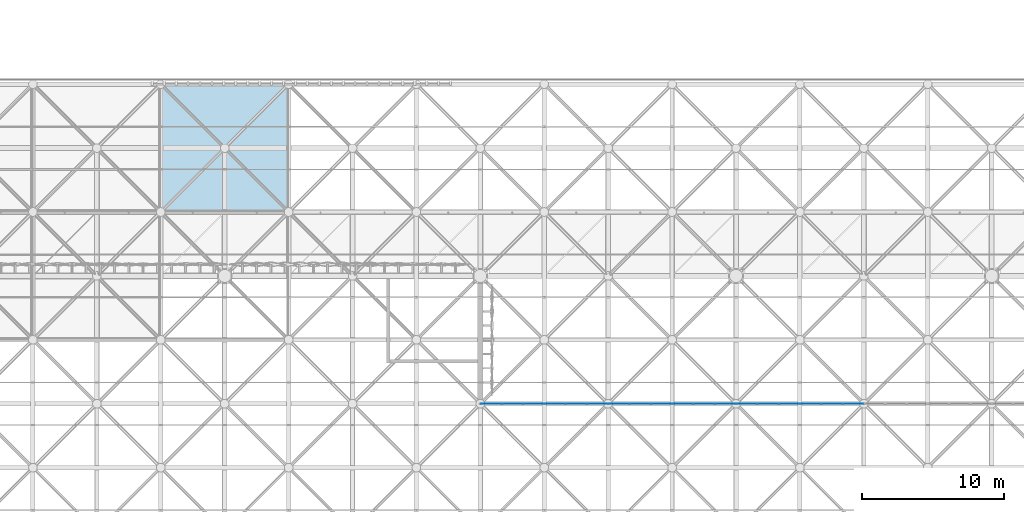
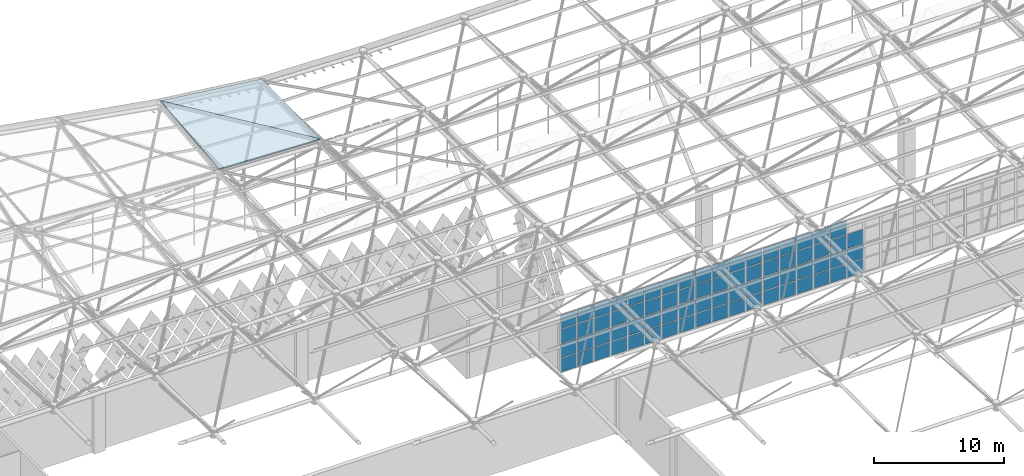
# One storey, part 246 of 437: 71 plates, 2 slabs, 2 elements without a shape of their own.
"""IFC4 building model written with IfcOpenShell, lengths in metres."""

from ifc_helpers import new_model, si_unit, direction, frame, origin, origin_2d, place, context, subcontext, project, spatial, polyline, rectangle, outline, extrude, material, layer, layer_set, type_object, element, aggregate, save


model = new_model("IFC4")

# Units and contexts
model_context = context("Model", 3, precision=1e-05, world=origin(), true_north=direction((0.0, 1.0)))
body_context = subcontext(model_context, "Body", "Model", "MODEL_VIEW")
ifc_project = project(units=[si_unit("LENGTHUNIT", "METRE"), si_unit("AREAUNIT", "SQUARE_METRE"), si_unit("VOLUMEUNIT", "CUBIC_METRE"), si_unit("PLANEANGLEUNIT", "RADIAN"), si_unit("MASSUNIT", "GRAM", prefix="KILO")], contexts=[model_context])

# Site, building, storey
site_placement = place(None, origin())
site = spatial("IfcSite", under=ifc_project, at=site_placement, CompositionType="ELEMENT")
building_placement = place(site_placement, origin())
building = spatial("IfcBuilding", under=site, at=building_placement, Name="Opaline Strait Convention Centre", CompositionType="ELEMENT")
storey_placement = place(building_placement, frame((0.0, 0.0, 11.5)))
storey = spatial("IfcBuildingStorey", under=building, at=storey_placement, Name="L02", CompositionType="ELEMENT", Elevation=11.5)

# Curtain wall, plates
ifc_material_1 = material(Name="Aluminium framed glazing", Category="aluminium")
ifc_layer_1 = layer(ifc_material_1, 0.199951171875)
ifc_layer_set_1 = layer_set([ifc_layer_1], Name="Aluminium framed glazing")
curtain_wall_type = type_object("IfcCurtainWallType", Name="Entrance curtain wall 1500", PredefinedType="NOTDEFINED", material=ifc_layer_set_1)
curtain_wall_1_placement = place(storey_placement, origin())
curtain_wall_1 = element("IfcCurtainWall", 1, at=curtain_wall_1_placement, inside=storey, type_object=curtain_wall_type, Name="Entrance curtain wall L02-R1", PredefinedType="NOTDEFINED")
ifc_material_2 = material(Name="Double glazed unit low emissivity", Category="glass")
ifc_layer_2 = layer(ifc_material_2, 0.028076171875)
ifc_layer_set_2 = layer_set([ifc_layer_2], Name="Double glazed unit low emissivity")
plate_type = type_object("IfcPlateType", Name="Curtain wall glass panel 28", PredefinedType="CURTAIN_PANEL", material=ifc_layer_set_2)
plate_1_placement = place(storey_placement, frame((153.764892578125, 144.0, 0.06005859375), z_axis=(0.0, 0.0, 1.0), x_axis=(1.0, 0.0, 0.0)))
plate_1 = element("IfcPlate", 2, at=plate_1_placement, type_object=plate_type, Name="XCW panel 1.1", PredefinedType="CURTAIN_PANEL", context=body_context, shape_type="SweptSolid", body=[
    extrude(rectangle(XDim=1.409912109375, YDim=0.028076171875, at=origin_2d()), origin(), (0.0, 0.0, 1.0), 1.284912109375),
])
plate_2_placement = place(storey_placement, frame((153.764892578125, 144.0, 1.405029296875), z_axis=(0.0, 0.0, 1.0), x_axis=(1.0, 0.0, 0.0)))
plate_2 = element("IfcPlate", 3, at=plate_2_placement, type_object=plate_type, Name="XCW panel 1.2", PredefinedType="CURTAIN_PANEL", context=body_context, shape_type="SweptSolid", body=[
    extrude(rectangle(XDim=1.409912109375, YDim=0.028076171875, at=origin_2d()), origin(), (0.0, 0.0, 1.0), 1.31494140625),
])
plate_3_placement = place(storey_placement, frame((153.764892578125, 144.0, 2.780029296875), z_axis=(0.0, 0.0, 1.0), x_axis=(1.0, 0.0, 0.0)))
plate_3 = element("IfcPlate", 4, at=plate_3_placement, type_object=plate_type, Name="XCW panel 1.3", PredefinedType="CURTAIN_PANEL", context=body_context, shape_type="SweptSolid", body=[
    extrude(rectangle(XDim=1.409912109375, YDim=0.028076171875, at=origin_2d()), origin(), (0.0, 0.0, 1.0), 1.31494140625),
])
plate_4_placement = place(storey_placement, frame((153.764892578125, 144.0, 4.1552734375), z_axis=(0.0, 0.0, 1.0), x_axis=(1.0, 0.0, 0.0)))
plate_4 = element("IfcPlate", 5, at=plate_4_placement, type_object=plate_type, Name="XCW panel 1.4", PredefinedType="CURTAIN_PANEL", context=body_context, shape_type="SweptSolid", body=[
    extrude(rectangle(XDim=1.409912109375, YDim=0.028076171875, at=origin_2d()), origin(), (0.0, 0.0, 1.0), 1.284912109375),
])
plate_5_placement = place(storey_placement, frame((155.25, 144.0, 0.06005859375), z_axis=(0.0, 0.0, 1.0), x_axis=(1.0, 0.0, 0.0)))
plate_5 = element("IfcPlate", 6, at=plate_5_placement, type_object=plate_type, Name="XCW panel 2.1", PredefinedType="CURTAIN_PANEL", context=body_context, shape_type="SweptSolid", body=[
    extrude(rectangle(XDim=1.43994140625, YDim=0.028076171875, at=origin_2d()), origin(), (0.0, 0.0, 1.0), 1.284912109375),
])
plate_6_placement = place(storey_placement, frame((155.25, 144.0, 1.405029296875), z_axis=(0.0, 0.0, 1.0), x_axis=(1.0, 0.0, 0.0)))
plate_6 = element("IfcPlate", 7, at=plate_6_placement, type_object=plate_type, Name="XCW panel 2.2", PredefinedType="CURTAIN_PANEL", context=body_context, shape_type="SweptSolid", body=[
    extrude(rectangle(XDim=1.43994140625, YDim=0.028076171875, at=origin_2d()), origin(), (0.0, 0.0, 1.0), 1.31494140625),
])
plate_7_placement = place(storey_placement, frame((155.25, 144.0, 2.780029296875), z_axis=(0.0, 0.0, 1.0), x_axis=(1.0, 0.0, 0.0)))
plate_7 = element("IfcPlate", 8, at=plate_7_placement, type_object=plate_type, Name="XCW panel 2.3", PredefinedType="CURTAIN_PANEL", context=body_context, shape_type="SweptSolid", body=[
    extrude(rectangle(XDim=1.43994140625, YDim=0.028076171875, at=origin_2d()), origin(), (0.0, 0.0, 1.0), 1.31494140625),
])
plate_8_placement = place(storey_placement, frame((155.25, 144.0, 4.1552734375), z_axis=(0.0, 0.0, 1.0), x_axis=(1.0, 0.0, 0.0)))
plate_8 = element("IfcPlate", 9, at=plate_8_placement, type_object=plate_type, Name="XCW panel 2.4", PredefinedType="CURTAIN_PANEL", context=body_context, shape_type="SweptSolid", body=[
    extrude(rectangle(XDim=1.43994140625, YDim=0.028076171875, at=origin_2d()), origin(), (0.0, 0.0, 1.0), 1.284912109375),
])
plate_9_placement = place(storey_placement, frame((156.75, 144.0, 0.06005859375), z_axis=(0.0, 0.0, 1.0), x_axis=(1.0, 0.0, 0.0)))
plate_9 = element("IfcPlate", 10, at=plate_9_placement, type_object=plate_type, Name="XCW panel 3.1", PredefinedType="CURTAIN_PANEL", context=body_context, shape_type="SweptSolid", body=[
    extrude(rectangle(XDim=1.43994140625, YDim=0.028076171875, at=origin_2d()), origin(), (0.0, 0.0, 1.0), 1.284912109375),
])
plate_10_placement = place(storey_placement, frame((156.75, 144.0, 1.405029296875), z_axis=(0.0, 0.0, 1.0), x_axis=(1.0, 0.0, 0.0)))
plate_10 = element("IfcPlate", 11, at=plate_10_placement, type_object=plate_type, Name="XCW panel 3.2", PredefinedType="CURTAIN_PANEL", context=body_context, shape_type="SweptSolid", body=[
    extrude(rectangle(XDim=1.43994140625, YDim=0.028076171875, at=origin_2d()), origin(), (0.0, 0.0, 1.0), 1.31494140625),
])
plate_11_placement = place(storey_placement, frame((156.75, 144.0, 2.780029296875), z_axis=(0.0, 0.0, 1.0), x_axis=(1.0, 0.0, 0.0)))
plate_11 = element("IfcPlate", 12, at=plate_11_placement, type_object=plate_type, Name="XCW panel 3.3", PredefinedType="CURTAIN_PANEL", context=body_context, shape_type="SweptSolid", body=[
    extrude(rectangle(XDim=1.43994140625, YDim=0.028076171875, at=origin_2d()), origin(), (0.0, 0.0, 1.0), 1.31494140625),
])
plate_12_placement = place(storey_placement, frame((156.75, 144.0, 4.1552734375), z_axis=(0.0, 0.0, 1.0), x_axis=(1.0, 0.0, 0.0)))
plate_12 = element("IfcPlate", 13, at=plate_12_placement, type_object=plate_type, Name="XCW panel 3.4", PredefinedType="CURTAIN_PANEL", context=body_context, shape_type="SweptSolid", body=[
    extrude(rectangle(XDim=1.43994140625, YDim=0.028076171875, at=origin_2d()), origin(), (0.0, 0.0, 1.0), 1.284912109375),
])
plate_13_placement = place(storey_placement, frame((158.25, 144.0, 0.06005859375), z_axis=(0.0, 0.0, 1.0), x_axis=(1.0, 0.0, 0.0)))
plate_13 = element("IfcPlate", 14, at=plate_13_placement, type_object=plate_type, Name="XCW panel 4.1", PredefinedType="CURTAIN_PANEL", context=body_context, shape_type="SweptSolid", body=[
    extrude(rectangle(XDim=1.43994140625, YDim=0.028076171875, at=origin_2d()), origin(), (0.0, 0.0, 1.0), 1.284912109375),
])
plate_14_placement = place(storey_placement, frame((158.25, 144.0, 1.405029296875), z_axis=(0.0, 0.0, 1.0), x_axis=(1.0, 0.0, 0.0)))
plate_14 = element("IfcPlate", 15, at=plate_14_placement, type_object=plate_type, Name="XCW panel 4.2", PredefinedType="CURTAIN_PANEL", context=body_context, shape_type="SweptSolid", body=[
    extrude(rectangle(XDim=1.43994140625, YDim=0.028076171875, at=origin_2d()), origin(), (0.0, 0.0, 1.0), 1.31494140625),
])
plate_15_placement = place(storey_placement, frame((158.25, 144.0, 2.780029296875), z_axis=(0.0, 0.0, 1.0), x_axis=(1.0, 0.0, 0.0)))
plate_15 = element("IfcPlate", 16, at=plate_15_placement, type_object=plate_type, Name="XCW panel 4.3", PredefinedType="CURTAIN_PANEL", context=body_context, shape_type="SweptSolid", body=[
    extrude(rectangle(XDim=1.43994140625, YDim=0.028076171875, at=origin_2d()), origin(), (0.0, 0.0, 1.0), 1.31494140625),
])
plate_16_placement = place(storey_placement, frame((158.25, 144.0, 4.1552734375), z_axis=(0.0, 0.0, 1.0), x_axis=(1.0, 0.0, 0.0)))
plate_16 = element("IfcPlate", 17, at=plate_16_placement, type_object=plate_type, Name="XCW panel 4.4", PredefinedType="CURTAIN_PANEL", context=body_context, shape_type="SweptSolid", body=[
    extrude(rectangle(XDim=1.43994140625, YDim=0.028076171875, at=origin_2d()), origin(), (0.0, 0.0, 1.0), 1.284912109375),
])
plate_17_placement = place(storey_placement, frame((159.75, 144.0, 0.06005859375), z_axis=(0.0, 0.0, 1.0), x_axis=(1.0, 0.0, 0.0)))
plate_17 = element("IfcPlate", 18, at=plate_17_placement, type_object=plate_type, Name="XCW panel 5.1", PredefinedType="CURTAIN_PANEL", context=body_context, shape_type="SweptSolid", body=[
    extrude(rectangle(XDim=1.43994140625, YDim=0.028076171875, at=origin_2d()), origin(), (0.0, 0.0, 1.0), 1.284912109375),
])
plate_18_placement = place(storey_placement, frame((159.75, 144.0, 1.405029296875), z_axis=(0.0, 0.0, 1.0), x_axis=(1.0, 0.0, 0.0)))
plate_18 = element("IfcPlate", 19, at=plate_18_placement, type_object=plate_type, Name="XCW panel 5.2", PredefinedType="CURTAIN_PANEL", context=body_context, shape_type="SweptSolid", body=[
    extrude(rectangle(XDim=1.43994140625, YDim=0.028076171875, at=origin_2d()), origin(), (0.0, 0.0, 1.0), 1.31494140625),
])
plate_19_placement = place(storey_placement, frame((159.75, 144.0, 2.780029296875), z_axis=(0.0, 0.0, 1.0), x_axis=(1.0, 0.0, 0.0)))
plate_19 = element("IfcPlate", 20, at=plate_19_placement, type_object=plate_type, Name="XCW panel 5.3", PredefinedType="CURTAIN_PANEL", context=body_context, shape_type="SweptSolid", body=[
    extrude(rectangle(XDim=1.43994140625, YDim=0.028076171875, at=origin_2d()), origin(), (0.0, 0.0, 1.0), 1.31494140625),
])
plate_20_placement = place(storey_placement, frame((159.75, 144.0, 4.1552734375), z_axis=(0.0, 0.0, 1.0), x_axis=(1.0, 0.0, 0.0)))
plate_20 = element("IfcPlate", 21, at=plate_20_placement, type_object=plate_type, Name="XCW panel 5.4", PredefinedType="CURTAIN_PANEL", context=body_context, shape_type="SweptSolid", body=[
    extrude(rectangle(XDim=1.43994140625, YDim=0.028076171875, at=origin_2d()), origin(), (0.0, 0.0, 1.0), 1.284912109375),
])
plate_21_placement = place(storey_placement, frame((161.25, 144.0, 0.06005859375), z_axis=(0.0, 0.0, 1.0), x_axis=(1.0, 0.0, 0.0)))
plate_21 = element("IfcPlate", 22, at=plate_21_placement, type_object=plate_type, Name="XCW panel 6.1", PredefinedType="CURTAIN_PANEL", context=body_context, shape_type="SweptSolid", body=[
    extrude(rectangle(XDim=1.43994140625, YDim=0.028076171875, at=origin_2d()), origin(), (0.0, 0.0, 1.0), 1.284912109375),
])
plate_22_placement = place(storey_placement, frame((161.25, 144.0, 1.405029296875), z_axis=(0.0, 0.0, 1.0), x_axis=(1.0, 0.0, 0.0)))
plate_22 = element("IfcPlate", 23, at=plate_22_placement, type_object=plate_type, Name="XCW panel 6.2", PredefinedType="CURTAIN_PANEL", context=body_context, shape_type="SweptSolid", body=[
    extrude(rectangle(XDim=1.43994140625, YDim=0.028076171875, at=origin_2d()), origin(), (0.0, 0.0, 1.0), 1.31494140625),
])
plate_23_placement = place(storey_placement, frame((161.25, 144.0, 2.780029296875), z_axis=(0.0, 0.0, 1.0), x_axis=(1.0, 0.0, 0.0)))
plate_23 = element("IfcPlate", 24, at=plate_23_placement, type_object=plate_type, Name="XCW panel 6.3", PredefinedType="CURTAIN_PANEL", context=body_context, shape_type="SweptSolid", body=[
    extrude(rectangle(XDim=1.43994140625, YDim=0.028076171875, at=origin_2d()), origin(), (0.0, 0.0, 1.0), 1.31494140625),
])
plate_24_placement = place(storey_placement, frame((161.25, 144.0, 4.1552734375), z_axis=(0.0, 0.0, 1.0), x_axis=(1.0, 0.0, 0.0)))
plate_24 = element("IfcPlate", 25, at=plate_24_placement, type_object=plate_type, Name="XCW panel 6.4", PredefinedType="CURTAIN_PANEL", context=body_context, shape_type="SweptSolid", body=[
    extrude(rectangle(XDim=1.43994140625, YDim=0.028076171875, at=origin_2d()), origin(), (0.0, 0.0, 1.0), 1.284912109375),
])
plate_25_placement = place(storey_placement, frame((162.75, 144.0, 0.06005859375), z_axis=(0.0, 0.0, 1.0), x_axis=(1.0, 0.0, 0.0)))
plate_25 = element("IfcPlate", 26, at=plate_25_placement, type_object=plate_type, Name="XCW panel 7.1", PredefinedType="CURTAIN_PANEL", context=body_context, shape_type="SweptSolid", body=[
    extrude(rectangle(XDim=1.43994140625, YDim=0.028076171875, at=origin_2d()), origin(), (0.0, 0.0, 1.0), 1.284912109375),
])
plate_26_placement = place(storey_placement, frame((162.75, 144.0, 1.405029296875), z_axis=(0.0, 0.0, 1.0), x_axis=(1.0, 0.0, 0.0)))
plate_26 = element("IfcPlate", 27, at=plate_26_placement, type_object=plate_type, Name="XCW panel 7.2", PredefinedType="CURTAIN_PANEL", context=body_context, shape_type="SweptSolid", body=[
    extrude(rectangle(XDim=1.43994140625, YDim=0.028076171875, at=origin_2d()), origin(), (0.0, 0.0, 1.0), 1.31494140625),
])
plate_27_placement = place(storey_placement, frame((162.75, 144.0, 2.780029296875), z_axis=(0.0, 0.0, 1.0), x_axis=(1.0, 0.0, 0.0)))
plate_27 = element("IfcPlate", 28, at=plate_27_placement, type_object=plate_type, Name="XCW panel 7.3", PredefinedType="CURTAIN_PANEL", context=body_context, shape_type="SweptSolid", body=[
    extrude(rectangle(XDim=1.43994140625, YDim=0.028076171875, at=origin_2d()), origin(), (0.0, 0.0, 1.0), 1.31494140625),
])
plate_28_placement = place(storey_placement, frame((162.75, 144.0, 4.1552734375), z_axis=(0.0, 0.0, 1.0), x_axis=(1.0, 0.0, 0.0)))
plate_28 = element("IfcPlate", 29, at=plate_28_placement, type_object=plate_type, Name="XCW panel 7.4", PredefinedType="CURTAIN_PANEL", context=body_context, shape_type="SweptSolid", body=[
    extrude(rectangle(XDim=1.43994140625, YDim=0.028076171875, at=origin_2d()), origin(), (0.0, 0.0, 1.0), 1.284912109375),
])
plate_29_placement = place(storey_placement, frame((164.25, 144.0, 0.06005859375), z_axis=(0.0, 0.0, 1.0), x_axis=(1.0, 0.0, 0.0)))
plate_29 = element("IfcPlate", 30, at=plate_29_placement, type_object=plate_type, Name="XCW panel 8.1", PredefinedType="CURTAIN_PANEL", context=body_context, shape_type="SweptSolid", body=[
    extrude(rectangle(XDim=1.43994140625, YDim=0.028076171875, at=origin_2d()), origin(), (0.0, 0.0, 1.0), 1.284912109375),
])
plate_30_placement = place(storey_placement, frame((164.25, 144.0, 1.405029296875), z_axis=(0.0, 0.0, 1.0), x_axis=(1.0, 0.0, 0.0)))
plate_30 = element("IfcPlate", 31, at=plate_30_placement, type_object=plate_type, Name="XCW panel 8.2", PredefinedType="CURTAIN_PANEL", context=body_context, shape_type="SweptSolid", body=[
    extrude(rectangle(XDim=1.43994140625, YDim=0.028076171875, at=origin_2d()), origin(), (0.0, 0.0, 1.0), 1.31494140625),
])
plate_31_placement = place(storey_placement, frame((164.25, 144.0, 2.780029296875), z_axis=(0.0, 0.0, 1.0), x_axis=(1.0, 0.0, 0.0)))
plate_31 = element("IfcPlate", 32, at=plate_31_placement, type_object=plate_type, Name="XCW panel 8.3", PredefinedType="CURTAIN_PANEL", context=body_context, shape_type="SweptSolid", body=[
    extrude(rectangle(XDim=1.43994140625, YDim=0.028076171875, at=origin_2d()), origin(), (0.0, 0.0, 1.0), 1.31494140625),
])
plate_32_placement = place(storey_placement, frame((164.25, 144.0, 4.1552734375), z_axis=(0.0, 0.0, 1.0), x_axis=(1.0, 0.0, 0.0)))
plate_32 = element("IfcPlate", 33, at=plate_32_placement, type_object=plate_type, Name="XCW panel 8.4", PredefinedType="CURTAIN_PANEL", context=body_context, shape_type="SweptSolid", body=[
    extrude(rectangle(XDim=1.43994140625, YDim=0.028076171875, at=origin_2d()), origin(), (0.0, 0.0, 1.0), 1.284912109375),
])
plate_33_placement = place(storey_placement, frame((165.75, 144.0, 0.06005859375), z_axis=(0.0, 0.0, 1.0), x_axis=(1.0, 0.0, 0.0)))
plate_33 = element("IfcPlate", 34, at=plate_33_placement, type_object=plate_type, Name="XCW panel 9.1", PredefinedType="CURTAIN_PANEL", context=body_context, shape_type="SweptSolid", body=[
    extrude(rectangle(XDim=1.43994140625, YDim=0.028076171875, at=origin_2d()), origin(), (0.0, 0.0, 1.0), 1.284912109375),
])
plate_34_placement = place(storey_placement, frame((165.75, 144.0, 1.405029296875), z_axis=(0.0, 0.0, 1.0), x_axis=(1.0, 0.0, 0.0)))
plate_34 = element("IfcPlate", 35, at=plate_34_placement, type_object=plate_type, Name="XCW panel 9.2", PredefinedType="CURTAIN_PANEL", context=body_context, shape_type="SweptSolid", body=[
    extrude(rectangle(XDim=1.43994140625, YDim=0.028076171875, at=origin_2d()), origin(), (0.0, 0.0, 1.0), 1.31494140625),
])
plate_35_placement = place(storey_placement, frame((165.75, 144.0, 2.780029296875), z_axis=(0.0, 0.0, 1.0), x_axis=(1.0, 0.0, 0.0)))
plate_35 = element("IfcPlate", 36, at=plate_35_placement, type_object=plate_type, Name="XCW panel 9.3", PredefinedType="CURTAIN_PANEL", context=body_context, shape_type="SweptSolid", body=[
    extrude(rectangle(XDim=1.43994140625, YDim=0.028076171875, at=origin_2d()), origin(), (0.0, 0.0, 1.0), 1.31494140625),
])
plate_36_placement = place(storey_placement, frame((165.75, 144.0, 4.1552734375), z_axis=(0.0, 0.0, 1.0), x_axis=(1.0, 0.0, 0.0)))
plate_36 = element("IfcPlate", 37, at=plate_36_placement, type_object=plate_type, Name="XCW panel 9.4", PredefinedType="CURTAIN_PANEL", context=body_context, shape_type="SweptSolid", body=[
    extrude(rectangle(XDim=1.43994140625, YDim=0.028076171875, at=origin_2d()), origin(), (0.0, 0.0, 1.0), 1.284912109375),
])
plate_37_placement = place(storey_placement, frame((167.25, 144.0, 0.06005859375), z_axis=(0.0, 0.0, 1.0), x_axis=(1.0, 0.0, 0.0)))
plate_37 = element("IfcPlate", 38, at=plate_37_placement, type_object=plate_type, Name="XCW panel 10.1", PredefinedType="CURTAIN_PANEL", context=body_context, shape_type="SweptSolid", body=[
    extrude(rectangle(XDim=1.43994140625, YDim=0.028076171875, at=origin_2d()), origin(), (0.0, 0.0, 1.0), 1.284912109375),
])
plate_38_placement = place(storey_placement, frame((167.25, 144.0, 1.405029296875), z_axis=(0.0, 0.0, 1.0), x_axis=(1.0, 0.0, 0.0)))
plate_38 = element("IfcPlate", 39, at=plate_38_placement, type_object=plate_type, Name="XCW panel 10.2", PredefinedType="CURTAIN_PANEL", context=body_context, shape_type="SweptSolid", body=[
    extrude(rectangle(XDim=1.43994140625, YDim=0.028076171875, at=origin_2d()), origin(), (0.0, 0.0, 1.0), 1.31494140625),
])
plate_39_placement = place(storey_placement, frame((167.25, 144.0, 2.780029296875), z_axis=(0.0, 0.0, 1.0), x_axis=(1.0, 0.0, 0.0)))
plate_39 = element("IfcPlate", 40, at=plate_39_placement, type_object=plate_type, Name="XCW panel 10.3", PredefinedType="CURTAIN_PANEL", context=body_context, shape_type="SweptSolid", body=[
    extrude(rectangle(XDim=1.43994140625, YDim=0.028076171875, at=origin_2d()), origin(), (0.0, 0.0, 1.0), 1.31494140625),
])
plate_40_placement = place(storey_placement, frame((167.25, 144.0, 4.1552734375), z_axis=(0.0, 0.0, 1.0), x_axis=(1.0, 0.0, 0.0)))
plate_40 = element("IfcPlate", 41, at=plate_40_placement, type_object=plate_type, Name="XCW panel 10.4", PredefinedType="CURTAIN_PANEL", context=body_context, shape_type="SweptSolid", body=[
    extrude(rectangle(XDim=1.43994140625, YDim=0.028076171875, at=origin_2d()), origin(), (0.0, 0.0, 1.0), 1.284912109375),
])
plate_41_placement = place(storey_placement, frame((168.75, 144.0, 0.06005859375), z_axis=(0.0, 0.0, 1.0), x_axis=(1.0, 0.0, 0.0)))
plate_41 = element("IfcPlate", 42, at=plate_41_placement, type_object=plate_type, Name="XCW panel 11.1", PredefinedType="CURTAIN_PANEL", context=body_context, shape_type="SweptSolid", body=[
    extrude(rectangle(XDim=1.43994140625, YDim=0.028076171875, at=origin_2d()), origin(), (0.0, 0.0, 1.0), 1.284912109375),
])
plate_42_placement = place(storey_placement, frame((168.75, 144.0, 1.405029296875), z_axis=(0.0, 0.0, 1.0), x_axis=(1.0, 0.0, 0.0)))
plate_42 = element("IfcPlate", 43, at=plate_42_placement, type_object=plate_type, Name="XCW panel 11.2", PredefinedType="CURTAIN_PANEL", context=body_context, shape_type="SweptSolid", body=[
    extrude(rectangle(XDim=1.43994140625, YDim=0.028076171875, at=origin_2d()), origin(), (0.0, 0.0, 1.0), 1.31494140625),
])
plate_43_placement = place(storey_placement, frame((168.75, 144.0, 2.780029296875), z_axis=(0.0, 0.0, 1.0), x_axis=(1.0, 0.0, 0.0)))
plate_43 = element("IfcPlate", 44, at=plate_43_placement, type_object=plate_type, Name="XCW panel 11.3", PredefinedType="CURTAIN_PANEL", context=body_context, shape_type="SweptSolid", body=[
    extrude(rectangle(XDim=1.43994140625, YDim=0.028076171875, at=origin_2d()), origin(), (0.0, 0.0, 1.0), 1.31494140625),
])
plate_44_placement = place(storey_placement, frame((168.75, 144.0, 4.1552734375), z_axis=(0.0, 0.0, 1.0), x_axis=(1.0, 0.0, 0.0)))
plate_44 = element("IfcPlate", 45, at=plate_44_placement, type_object=plate_type, Name="XCW panel 11.4", PredefinedType="CURTAIN_PANEL", context=body_context, shape_type="SweptSolid", body=[
    extrude(rectangle(XDim=1.43994140625, YDim=0.028076171875, at=origin_2d()), origin(), (0.0, 0.0, 1.0), 1.284912109375),
])
plate_45_placement = place(storey_placement, frame((170.235107421875, 144.0, 0.06005859375), z_axis=(0.0, 0.0, 1.0), x_axis=(1.0, 0.0, 0.0)))
plate_45 = element("IfcPlate", 46, at=plate_45_placement, type_object=plate_type, Name="XCW panel 12.1", PredefinedType="CURTAIN_PANEL", context=body_context, shape_type="SweptSolid", body=[
    extrude(rectangle(XDim=1.409912109375, YDim=0.028076171875, at=origin_2d()), origin(), (0.0, 0.0, 1.0), 1.284912109375),
])
plate_46_placement = place(storey_placement, frame((170.235107421875, 144.0, 1.405029296875), z_axis=(0.0, 0.0, 1.0), x_axis=(1.0, 0.0, 0.0)))
plate_46 = element("IfcPlate", 47, at=plate_46_placement, type_object=plate_type, Name="XCW panel 12.2", PredefinedType="CURTAIN_PANEL", context=body_context, shape_type="SweptSolid", body=[
    extrude(rectangle(XDim=1.409912109375, YDim=0.028076171875, at=origin_2d()), origin(), (0.0, 0.0, 1.0), 1.31494140625),
])
plate_47_placement = place(storey_placement, frame((170.235107421875, 144.0, 2.780029296875), z_axis=(0.0, 0.0, 1.0), x_axis=(1.0, 0.0, 0.0)))
plate_47 = element("IfcPlate", 48, at=plate_47_placement, type_object=plate_type, Name="XCW panel 12.3", PredefinedType="CURTAIN_PANEL", context=body_context, shape_type="SweptSolid", body=[
    extrude(rectangle(XDim=1.409912109375, YDim=0.028076171875, at=origin_2d()), origin(), (0.0, 0.0, 1.0), 1.31494140625),
])
plate_48_placement = place(storey_placement, frame((170.235107421875, 144.0, 4.1552734375), z_axis=(0.0, 0.0, 1.0), x_axis=(1.0, 0.0, 0.0)))
plate_48 = element("IfcPlate", 49, at=plate_48_placement, type_object=plate_type, Name="XCW panel 12.4", PredefinedType="CURTAIN_PANEL", context=body_context, shape_type="SweptSolid", body=[
    extrude(rectangle(XDim=1.409912109375, YDim=0.028076171875, at=origin_2d()), origin(), (0.0, 0.0, 1.0), 1.284912109375),
])
aggregate(curtain_wall_1, [plate_1, plate_2, plate_3, plate_4, plate_5, plate_6, plate_7, plate_8, plate_9, plate_10, plate_11, plate_12, plate_13, plate_14, plate_15, plate_16, plate_17, plate_18, plate_19, plate_20, plate_21, plate_22, plate_23, plate_24, plate_25, plate_26, plate_27, plate_28, plate_29, plate_30, plate_31, plate_32, plate_33, plate_34, plate_35, plate_36, plate_37, plate_38, plate_39, plate_40, plate_41, plate_42, plate_43, plate_44, plate_45, plate_46, plate_47, plate_48])

curtain_wall_2_placement = place(storey_placement, origin())
curtain_wall_2 = element("IfcCurtainWall", 50, at=curtain_wall_2_placement, inside=storey, type_object=curtain_wall_type, Name="Entrance curtain wall L02-R2", PredefinedType="NOTDEFINED")
plate_49_placement = place(storey_placement, frame((171.764892578125, 144.0, 0.06005859375), z_axis=(0.0, 0.0, 1.0), x_axis=(1.0, 0.0, 0.0)))
plate_49 = element("IfcPlate", 51, at=plate_49_placement, type_object=plate_type, Name="XCW panel 1.1", PredefinedType="CURTAIN_PANEL", context=body_context, shape_type="SweptSolid", body=[
    extrude(rectangle(XDim=1.409912109375, YDim=0.028076171875, at=origin_2d()), origin(), (0.0, 0.0, 1.0), 1.284912109375),
])
plate_50_placement = place(storey_placement, frame((171.764892578125, 144.0, 1.405029296875), z_axis=(0.0, 0.0, 1.0), x_axis=(1.0, 0.0, 0.0)))
plate_50 = element("IfcPlate", 52, at=plate_50_placement, type_object=plate_type, Name="XCW panel 1.2", PredefinedType="CURTAIN_PANEL", context=body_context, shape_type="SweptSolid", body=[
    extrude(rectangle(XDim=1.409912109375, YDim=0.028076171875, at=origin_2d()), origin(), (0.0, 0.0, 1.0), 1.31494140625),
])
plate_51_placement = place(storey_placement, frame((171.764892578125, 144.0, 2.780029296875), z_axis=(0.0, 0.0, 1.0), x_axis=(1.0, 0.0, 0.0)))
plate_51 = element("IfcPlate", 53, at=plate_51_placement, type_object=plate_type, Name="XCW panel 1.3", PredefinedType="CURTAIN_PANEL", context=body_context, shape_type="SweptSolid", body=[
    extrude(rectangle(XDim=1.409912109375, YDim=0.028076171875, at=origin_2d()), origin(), (0.0, 0.0, 1.0), 1.31494140625),
])
plate_52_placement = place(storey_placement, frame((171.764892578125, 144.0, 4.1552734375), z_axis=(0.0, 0.0, 1.0), x_axis=(1.0, 0.0, 0.0)))
plate_52 = element("IfcPlate", 54, at=plate_52_placement, type_object=plate_type, Name="XCW panel 1.4", PredefinedType="CURTAIN_PANEL", context=body_context, shape_type="SweptSolid", body=[
    extrude(rectangle(XDim=1.409912109375, YDim=0.028076171875, at=origin_2d()), origin(), (0.0, 0.0, 1.0), 1.284912109375),
])
plate_53_placement = place(storey_placement, frame((173.25, 144.0, 0.06005859375), z_axis=(0.0, 0.0, 1.0), x_axis=(1.0, 0.0, 0.0)))
plate_53 = element("IfcPlate", 55, at=plate_53_placement, type_object=plate_type, Name="XCW panel 2.1", PredefinedType="CURTAIN_PANEL", context=body_context, shape_type="SweptSolid", body=[
    extrude(rectangle(XDim=1.43994140625, YDim=0.028076171875, at=origin_2d()), origin(), (0.0, 0.0, 1.0), 1.284912109375),
])
plate_54_placement = place(storey_placement, frame((173.25, 144.0, 1.405029296875), z_axis=(0.0, 0.0, 1.0), x_axis=(1.0, 0.0, 0.0)))
plate_54 = element("IfcPlate", 56, at=plate_54_placement, type_object=plate_type, Name="XCW panel 2.2", PredefinedType="CURTAIN_PANEL", context=body_context, shape_type="SweptSolid", body=[
    extrude(rectangle(XDim=1.43994140625, YDim=0.028076171875, at=origin_2d()), origin(), (0.0, 0.0, 1.0), 1.31494140625),
])
plate_55_placement = place(storey_placement, frame((173.25, 144.0, 2.780029296875), z_axis=(0.0, 0.0, 1.0), x_axis=(1.0, 0.0, 0.0)))
plate_55 = element("IfcPlate", 57, at=plate_55_placement, type_object=plate_type, Name="XCW panel 2.3", PredefinedType="CURTAIN_PANEL", context=body_context, shape_type="SweptSolid", body=[
    extrude(rectangle(XDim=1.43994140625, YDim=0.028076171875, at=origin_2d()), origin(), (0.0, 0.0, 1.0), 1.31494140625),
])
plate_56_placement = place(storey_placement, frame((173.25, 144.0, 4.1552734375), z_axis=(0.0, 0.0, 1.0), x_axis=(1.0, 0.0, 0.0)))
plate_56 = element("IfcPlate", 58, at=plate_56_placement, type_object=plate_type, Name="XCW panel 2.4", PredefinedType="CURTAIN_PANEL", context=body_context, shape_type="SweptSolid", body=[
    extrude(rectangle(XDim=1.43994140625, YDim=0.028076171875, at=origin_2d()), origin(), (0.0, 0.0, 1.0), 1.284912109375),
])
plate_57_placement = place(storey_placement, frame((174.75, 144.0, 0.06005859375), z_axis=(0.0, 0.0, 1.0), x_axis=(1.0, 0.0, 0.0)))
plate_57 = element("IfcPlate", 59, at=plate_57_placement, type_object=plate_type, Name="XCW panel 3.1", PredefinedType="CURTAIN_PANEL", context=body_context, shape_type="SweptSolid", body=[
    extrude(rectangle(XDim=1.43994140625, YDim=0.028076171875, at=origin_2d()), origin(), (0.0, 0.0, 1.0), 1.284912109375),
])
plate_58_placement = place(storey_placement, frame((174.75, 144.0, 1.405029296875), z_axis=(0.0, 0.0, 1.0), x_axis=(1.0, 0.0, 0.0)))
plate_58 = element("IfcPlate", 60, at=plate_58_placement, type_object=plate_type, Name="XCW panel 3.2", PredefinedType="CURTAIN_PANEL", context=body_context, shape_type="SweptSolid", body=[
    extrude(rectangle(XDim=1.43994140625, YDim=0.028076171875, at=origin_2d()), origin(), (0.0, 0.0, 1.0), 1.31494140625),
])
plate_59_placement = place(storey_placement, frame((174.75, 144.0, 2.780029296875), z_axis=(0.0, 0.0, 1.0), x_axis=(1.0, 0.0, 0.0)))
plate_59 = element("IfcPlate", 61, at=plate_59_placement, type_object=plate_type, Name="XCW panel 3.3", PredefinedType="CURTAIN_PANEL", context=body_context, shape_type="SweptSolid", body=[
    extrude(rectangle(XDim=1.43994140625, YDim=0.028076171875, at=origin_2d()), origin(), (0.0, 0.0, 1.0), 1.31494140625),
])
plate_60_placement = place(storey_placement, frame((174.75, 144.0, 4.1552734375), z_axis=(0.0, 0.0, 1.0), x_axis=(1.0, 0.0, 0.0)))
plate_60 = element("IfcPlate", 62, at=plate_60_placement, type_object=plate_type, Name="XCW panel 3.4", PredefinedType="CURTAIN_PANEL", context=body_context, shape_type="SweptSolid", body=[
    extrude(rectangle(XDim=1.43994140625, YDim=0.028076171875, at=origin_2d()), origin(), (0.0, 0.0, 1.0), 1.284912109375),
])
plate_61_placement = place(storey_placement, frame((176.25, 144.0, 0.06005859375), z_axis=(0.0, 0.0, 1.0), x_axis=(1.0, 0.0, 0.0)))
plate_61 = element("IfcPlate", 63, at=plate_61_placement, type_object=plate_type, Name="XCW panel 4.1", PredefinedType="CURTAIN_PANEL", context=body_context, shape_type="SweptSolid", body=[
    extrude(rectangle(XDim=1.43994140625, YDim=0.028076171875, at=origin_2d()), origin(), (0.0, 0.0, 1.0), 1.284912109375),
])
plate_62_placement = place(storey_placement, frame((176.25, 144.0, 1.405029296875), z_axis=(0.0, 0.0, 1.0), x_axis=(1.0, 0.0, 0.0)))
plate_62 = element("IfcPlate", 64, at=plate_62_placement, type_object=plate_type, Name="XCW panel 4.2", PredefinedType="CURTAIN_PANEL", context=body_context, shape_type="SweptSolid", body=[
    extrude(rectangle(XDim=1.43994140625, YDim=0.028076171875, at=origin_2d()), origin(), (0.0, 0.0, 1.0), 1.31494140625),
])
plate_63_placement = place(storey_placement, frame((176.25, 144.0, 2.780029296875), z_axis=(0.0, 0.0, 1.0), x_axis=(1.0, 0.0, 0.0)))
plate_63 = element("IfcPlate", 65, at=plate_63_placement, type_object=plate_type, Name="XCW panel 4.3", PredefinedType="CURTAIN_PANEL", context=body_context, shape_type="SweptSolid", body=[
    extrude(rectangle(XDim=1.43994140625, YDim=0.028076171875, at=origin_2d()), origin(), (0.0, 0.0, 1.0), 1.31494140625),
])
plate_64_placement = place(storey_placement, frame((176.25, 144.0, 4.1552734375), z_axis=(0.0, 0.0, 1.0), x_axis=(1.0, 0.0, 0.0)))
plate_64 = element("IfcPlate", 66, at=plate_64_placement, type_object=plate_type, Name="XCW panel 4.4", PredefinedType="CURTAIN_PANEL", context=body_context, shape_type="SweptSolid", body=[
    extrude(rectangle(XDim=1.43994140625, YDim=0.028076171875, at=origin_2d()), origin(), (0.0, 0.0, 1.0), 1.284912109375),
])
plate_65_placement = place(storey_placement, frame((177.75, 144.0, 0.06005859375), z_axis=(0.0, 0.0, 1.0), x_axis=(1.0, 0.0, 0.0)))
plate_65 = element("IfcPlate", 67, at=plate_65_placement, type_object=plate_type, Name="XCW panel 5.1", PredefinedType="CURTAIN_PANEL", context=body_context, shape_type="SweptSolid", body=[
    extrude(rectangle(XDim=1.43994140625, YDim=0.028076171875, at=origin_2d()), origin(), (0.0, 0.0, 1.0), 1.284912109375),
])
plate_66_placement = place(storey_placement, frame((177.75, 144.0, 1.405029296875), z_axis=(0.0, 0.0, 1.0), x_axis=(1.0, 0.0, 0.0)))
plate_66 = element("IfcPlate", 68, at=plate_66_placement, type_object=plate_type, Name="XCW panel 5.2", PredefinedType="CURTAIN_PANEL", context=body_context, shape_type="SweptSolid", body=[
    extrude(rectangle(XDim=1.43994140625, YDim=0.028076171875, at=origin_2d()), origin(), (0.0, 0.0, 1.0), 1.31494140625),
])
plate_67_placement = place(storey_placement, frame((177.75, 144.0, 2.780029296875), z_axis=(0.0, 0.0, 1.0), x_axis=(1.0, 0.0, 0.0)))
plate_67 = element("IfcPlate", 69, at=plate_67_placement, type_object=plate_type, Name="XCW panel 5.3", PredefinedType="CURTAIN_PANEL", context=body_context, shape_type="SweptSolid", body=[
    extrude(rectangle(XDim=1.43994140625, YDim=0.028076171875, at=origin_2d()), origin(), (0.0, 0.0, 1.0), 1.31494140625),
])
plate_68_placement = place(storey_placement, frame((177.75, 144.0, 4.1552734375), z_axis=(0.0, 0.0, 1.0), x_axis=(1.0, 0.0, 0.0)))
plate_68 = element("IfcPlate", 70, at=plate_68_placement, type_object=plate_type, Name="XCW panel 5.4", PredefinedType="CURTAIN_PANEL", context=body_context, shape_type="SweptSolid", body=[
    extrude(rectangle(XDim=1.43994140625, YDim=0.028076171875, at=origin_2d()), origin(), (0.0, 0.0, 1.0), 1.284912109375),
])
plate_69_placement = place(storey_placement, frame((179.25, 144.0, 0.06005859375), z_axis=(0.0, 0.0, 1.0), x_axis=(1.0, 0.0, 0.0)))
plate_69 = element("IfcPlate", 71, at=plate_69_placement, type_object=plate_type, Name="XCW panel 6.1", PredefinedType="CURTAIN_PANEL", context=body_context, shape_type="SweptSolid", body=[
    extrude(rectangle(XDim=1.43994140625, YDim=0.028076171875, at=origin_2d()), origin(), (0.0, 0.0, 1.0), 1.284912109375),
])
plate_70_placement = place(storey_placement, frame((179.25, 144.0, 1.405029296875), z_axis=(0.0, 0.0, 1.0), x_axis=(1.0, 0.0, 0.0)))
plate_70 = element("IfcPlate", 72, at=plate_70_placement, type_object=plate_type, Name="XCW panel 6.2", PredefinedType="CURTAIN_PANEL", context=body_context, shape_type="SweptSolid", body=[
    extrude(rectangle(XDim=1.43994140625, YDim=0.028076171875, at=origin_2d()), origin(), (0.0, 0.0, 1.0), 1.31494140625),
])
plate_71_placement = place(storey_placement, frame((179.25, 144.0, 2.780029296875), z_axis=(0.0, 0.0, 1.0), x_axis=(1.0, 0.0, 0.0)))
plate_71 = element("IfcPlate", 73, at=plate_71_placement, type_object=plate_type, Name="XCW panel 6.3", PredefinedType="CURTAIN_PANEL", context=body_context, shape_type="SweptSolid", body=[
    extrude(rectangle(XDim=1.43994140625, YDim=0.028076171875, at=origin_2d()), origin(), (0.0, 0.0, 1.0), 1.31494140625),
])
aggregate(curtain_wall_2, [plate_49, plate_50, plate_51, plate_52, plate_53, plate_54, plate_55, plate_56, plate_57, plate_58, plate_59, plate_60, plate_61, plate_62, plate_63, plate_64, plate_65, plate_66, plate_67, plate_68, plate_69, plate_70, plate_71])

# Slabs
ifc_material_3 = material(Name="Steel Q235-B insulated roof panel", Category="steel")
ifc_layer_3 = layer(ifc_material_3, 0.1201171875)
ifc_layer_set_3 = layer_set([ifc_layer_3], Name="Steel Q235-B insulated roof panel")
slab_type = type_object("IfcSlabType", Name="Insulated roof panel 120 steel Q235B facings", PredefinedType="ROOF", material=ifc_layer_set_3)
slab_1_placement = place(storey_placement, frame((139.5, 157.5, 18.568115234375), z_axis=(0.119898015001, -0.020651645521, 0.992571395687), x_axis=(0.0, 0.999783621134, 0.020801704574)))
element("IfcSlab", 74, at=slab_1_placement, inside=storey, type_object=slab_type, Name="EXB-RF-D-5-13a", PredefinedType="ROOF", context=body_context, shape_type="SweptSolid", body=[
    extrude(outline(polyline([(0.0, 0.0), (9.00194783126798, 0.0), (9.024562575034395, 9.065395828753775), (0.0, 0.0)])), origin(), (0.0, 0.0, -1.0), 0.1201171875),
])
slab_2_placement = place(storey_placement, frame((130.5, 157.5, 18.903564453125), z_axis=(0.037153597313, -0.103587896138, 0.99392613306), x_axis=(0.999302075118, 0.0, -0.037354553481)))
element("IfcSlab", 75, at=slab_2_placement, inside=storey, type_object=slab_type, Name="EXB-RF-D-5-13b", PredefinedType="ROOF", context=body_context, shape_type="SweptSolid", body=[
    extrude(outline(polyline([(0.0, 0.0), (9.006285710896012, 0.0), (-0.03503813341620954, 9.04867914918907), (0.0, 0.0)])), origin(), (0.0, 0.0, -1.0), 0.1201171875),
])

save(model, "model.ifc")
